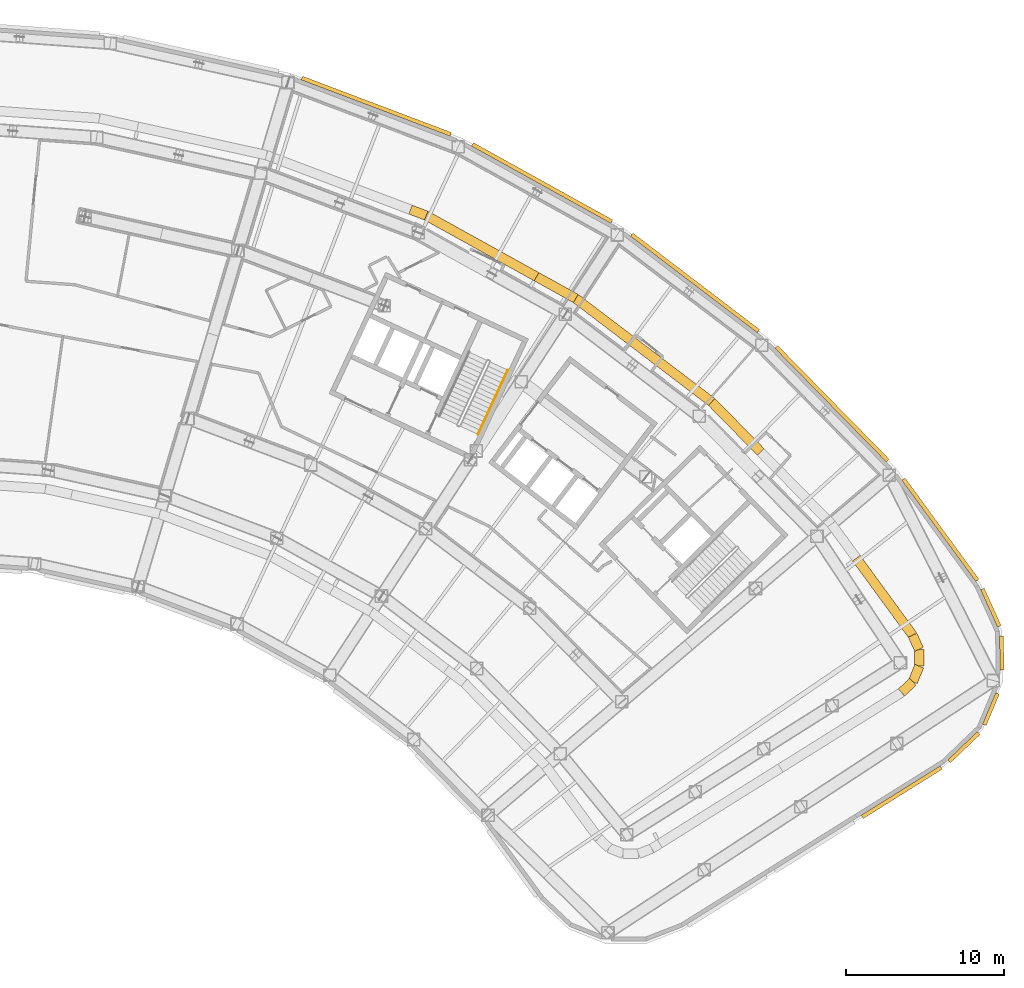
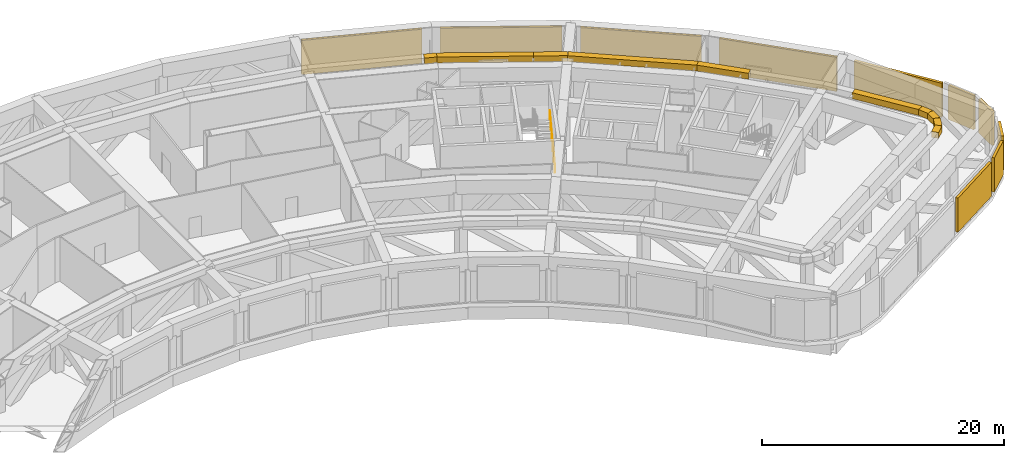
# One storey, part 29 of 30: 10 coverings, 10 shading devices, 1 railing.
"""IFC4 building model written with IfcOpenShell, lengths in metres."""

from ifc_helpers import new_model, si_unit, direction, frame, origin, origin_2d, place, context, subcontext, project, spatial, rectangle, circle, extrude, material, material_profile, profile_set, type_object, element, save


model = new_model("IFC4")

# Units and contexts
model_context = context("Model", 3, precision=1e-05, world=origin(), true_north=direction((0.0, 1.0)))
body_context = subcontext(model_context, "Body", "Model", "MODEL_VIEW")
ifc_project = project(units=[si_unit("LENGTHUNIT", "METRE"), si_unit("AREAUNIT", "SQUARE_METRE"), si_unit("VOLUMEUNIT", "CUBIC_METRE"), si_unit("PLANEANGLEUNIT", "RADIAN"), si_unit("MASSUNIT", "GRAM", prefix="KILO")], contexts=[model_context])

# Site, building, storey
site_placement = place(None, origin())
site = spatial("IfcSite", under=ifc_project, at=site_placement, CompositionType="ELEMENT")
building_placement = place(site_placement, origin())
building = spatial("IfcBuilding", under=site, at=building_placement, Name="Tuul Gate Civic Tower", CompositionType="ELEMENT")
storey_placement = place(building_placement, frame((0.0, 0.0, 26.699951171875)))
storey = spatial("IfcBuildingStorey", under=building, at=storey_placement, Name="Plant and refuge floor 1", CompositionType="ELEMENT", Elevation=26.699951171875)

# Shading devices
ifc_material_1 = material(Name="Aluminium louvre", Category="aluminium")
shading_device_type = type_object("IfcShadingDeviceType", Name="Louvre panel", PredefinedType="USERDEFINED", material=ifc_material_1)
shading_device_1_placement = place(storey_placement, frame((65.698974609375, -25.604248046875, 0.30029296875), z_axis=(0.0, 0.0, 1.0), x_axis=(0.69147788564, -0.722397628506, 0.0)))
element("IfcShadingDevice", 1, at=shading_device_1_placement, inside=storey, type_object=shading_device_type, Name="Louvre panel", ObjectType="LOUVRE", PredefinedType="USERDEFINED", context=body_context, shape_type="SweptSolid", body=[
    extrude(rectangle(XDim=0.25, YDim=2.60009765625, at=origin_2d()), origin(), (0.0, 0.0, 1.0), 3.449951171875),
])
for number, where, z_axis, x_axis, name in (
    (2, (67.4150390625, -23.185791015625, 0.30029296875), (0.0, 0.0, 1.0), (0.92261423474, -0.385723960696, 0.0), "Louvre panel"),
    (3, (68.102294921875, -19.625244140625, 0.30029296875), (0.0, 0.0, 1.0), (0.999892290777, 0.014676745048, 0.0), "Louvre panel"),
):
    element("IfcShadingDevice", number, at=place(storey_placement, frame(where, z_axis=z_axis, x_axis=x_axis)), inside=storey, type_object=shading_device_type, Name=name, ObjectType="LOUVRE", PredefinedType="USERDEFINED", context=body_context, shape_type="SweptSolid", body=[
        extrude(rectangle(XDim=0.25, YDim=2.14990234375, at=origin_2d()), origin(), (0.0, 0.0, 1.0), 3.449951171875),
    ])
shading_device_2_placement = place(storey_placement, frame((67.410400390625, -16.740966796875, 0.30029296875), z_axis=(0.0, 0.0, 1.0), x_axis=(0.910943109135, 0.412532001086, 0.0)))
element("IfcShadingDevice", 4, at=shading_device_2_placement, inside=storey, type_object=shading_device_type, Name="Louvre panel", ObjectType="LOUVRE", PredefinedType="USERDEFINED", context=body_context, shape_type="SweptSolid", body=[
    extrude(rectangle(XDim=0.25, YDim=2.60009765625, at=origin_2d()), origin(), (0.0, 0.0, 1.0), 3.449951171875),
])
shading_device_3_placement = place(storey_placement, frame((64.2041015625, -11.79296875, 0.30029296875), z_axis=(0.0, 0.0, 1.0), x_axis=(0.807504635584, 0.589861223943, 0.0)))
element("IfcShadingDevice", 5, at=shading_device_3_placement, inside=storey, type_object=shading_device_type, Name="Louvre panel", ObjectType="LOUVRE", PredefinedType="USERDEFINED", context=body_context, shape_type="SweptSolid", body=[
    extrude(rectangle(XDim=0.25, YDim=7.949951171875, at=origin_2d()), origin(), (0.0, 0.0, 1.0), 3.449951171875),
])
for number, where, z_axis, x_axis, name in (
    (6, (57.330322265625, -3.802490234375, 0.30029296875), (0.0, 0.0, 1.0), (0.714133617381, 0.700009411741, 0.0), "Louvre panel"),
    (7, (48.63330078125, 3.873046875, 0.30029296875), (0.0, 0.0, 1.0), (0.605812275607, 0.795607621082, 0.0), "Louvre panel"),
    (8, (38.920654296875, 10.21484375, 0.30029296875), (0.0, 0.0, 1.0), (0.484772548087, 0.874640255546, 0.0), "Louvre panel"),
    (9, (28.395751953125, 15.09033203125, 0.30029296875), (0.0, 0.0, 1.0), (0.353698661692, 0.935359426487, 0.0), "Louvre panel"),
):
    element("IfcShadingDevice", number, at=place(storey_placement, frame(where, z_axis=z_axis, x_axis=x_axis)), inside=storey, type_object=shading_device_type, Name=name, ObjectType="LOUVRE", PredefinedType="USERDEFINED", context=body_context, shape_type="SweptSolid", body=[
        extrude(rectangle(XDim=0.25, YDim=10.10009765625, at=origin_2d()), origin(), (0.0, 0.0, 1.0), 3.449951171875),
    ])
shading_device_4_placement = place(storey_placement, frame((61.753662109375, -28.457275390625, 0.30029296875), z_axis=(0.0, 0.0, 1.0), x_axis=(0.529943874358, -0.848032717547, 0.0)))
element("IfcShadingDevice", 10, at=shading_device_4_placement, inside=storey, type_object=shading_device_type, Name="Louvre panel", ObjectType="LOUVRE", PredefinedType="USERDEFINED", context=body_context, shape_type="SweptSolid", body=[
    extrude(rectangle(XDim=0.25, YDim=5.89990234375, at=origin_2d()), origin(), (0.0, 0.0, 1.0), 3.449951171875),
])

# Railing
ifc_material_2 = material(Name="Painted steel", Category="steel")
railing_type = type_object("IfcRailingType", Name="Stair handrail", PredefinedType="HANDRAIL", material=ifc_material_2)
railing_placement = place(storey_placement, frame((34.844970703125, -5.74267578125, 0.150146484375)))
element("IfcRailing", 11, at=railing_placement, inside=storey, type_object=railing_type, Name="Plant and refuge floor 1 ST-4 stair handrail 1", PredefinedType="HANDRAIL", context=body_context, shape_type="SweptSolid", body=[
    extrude(circle(Radius=0.02392578125, at=origin_2d()), frame((0.0, 0.0, 0.8759765625), z_axis=(0.377958258299, 0.810652286962, 0.447202889779), x_axis=(-0.906331385859, 0.422567650213, 0.0)), (0.0, 0.0, 1.0), 5.03125),
    extrude(circle(Radius=0.02099609375, at=origin_2d()), origin(), (0.0, 0.0, 1.0), 0.851806640625),
    extrude(circle(Radius=0.02099609375, at=origin_2d()), frame((0.38037109375, 0.815673828125, 0.449951171875)), (0.0, 0.0, 1.0), 0.851806640625),
    extrude(circle(Radius=0.02099609375, at=origin_2d()), frame((0.7607421875, 1.63134765625, 0.89990234375)), (0.0, 0.0, 1.0), 0.851806640625),
    extrude(circle(Radius=0.02099609375, at=origin_2d()), frame((1.140869140625, 2.447265625, 1.35009765625)), (0.0, 0.0, 1.0), 0.851806640625),
    extrude(circle(Radius=0.02099609375, at=origin_2d()), frame((1.521240234375, 3.262939453125, 1.800048828125)), (0.0, 0.0, 1.0), 0.851806640625),
    extrude(circle(Radius=0.02099609375, at=origin_2d()), frame((1.901611328125, 4.07861328125, 2.25)), (0.0, 0.0, 1.0), 0.851806640625),
])

# Coverings
ifc_material_3 = material(Name="Terracotta baguette", Category="masonry")
ifc_material_profile = material_profile(ifc_material_3, rectangle(XDim=0.60009765625, YDim=0.60009765625, at=origin_2d()), Name="Terracotta baguette screen frame")
ifc_profile_set = profile_set([ifc_material_profile], Name="Terracotta baguette")
covering_type = type_object("IfcCoveringType", Name="Terracotta baguette screen frame", PredefinedType="CLADDING", material=ifc_profile_set)
covering_1_placement = place(storey_placement, frame((38.569091796875, 4.264404296875, 4.449951171875), z_axis=(-0.874634570388, 0.484782805267, 0.0), x_axis=(-0.484782805267, -0.874634570388, 0.0)))
element("IfcCovering", 12, at=covering_1_placement, inside=storey, type_object=covering_type, Name="Baguette 45", PredefinedType="CLADDING", context=body_context, shape_type="SweptSolid", body=[
    extrude(rectangle(XDim=0.60009765625, YDim=0.60009765625, at=origin_2d()), origin(), (0.0, 0.0, 1.0), 8.00341796875),
])
covering_2_placement = place(storey_placement, frame((31.569091796875, 8.144287109375, 4.449951171875), z_axis=(-0.935349569551, 0.353724727352, 0.0), x_axis=(-0.353724727352, -0.935349569551, 0.0)))
element("IfcCovering", 13, at=covering_2_placement, inside=storey, type_object=covering_type, Name="Baguette 46", PredefinedType="CLADDING", context=body_context, shape_type="SweptSolid", body=[
    extrude(rectangle(XDim=0.60009765625, YDim=0.60009765625, at=origin_2d()), origin(), (0.0, 0.0, 1.0), 1.069091796875),
])
covering_3_placement = place(storey_placement, frame((52.805419921875, -6.864990234375, 4.449951171875), z_axis=(-0.699986848634, 0.714155733534, 0.0), x_axis=(-0.714155733534, -0.699986848634, 0.0)))
element("IfcCovering", 14, at=covering_3_placement, inside=storey, type_object=covering_type, Name="Baguette 381", PredefinedType="CLADDING", context=body_context, shape_type="SweptSolid", body=[
    extrude(rectangle(XDim=0.60009765625, YDim=0.60009765625, at=origin_2d()), origin(), (0.0, 0.0, 1.0), 4.445556640625),
])
covering_4_placement = place(storey_placement, frame((49.693603515625, -3.690185546875, 4.449951171875), z_axis=(-0.795618643442, 0.605797799771, 0.0), x_axis=(-0.605797799771, -0.795618643442, 0.0)))
element("IfcCovering", 15, at=covering_4_placement, inside=storey, type_object=covering_type, Name="Baguette 382", PredefinedType="CLADDING", context=body_context, shape_type="SweptSolid", body=[
    extrude(rectangle(XDim=0.60009765625, YDim=0.60009765625, at=origin_2d()), origin(), (0.0, 0.0, 1.0), 10.851318359375),
])
covering_5_placement = place(storey_placement, frame((41.06005859375, 2.883544921875, 4.449951171875), z_axis=(-0.874605722135, 0.484834849005, 0.0), x_axis=(-0.484834849005, -0.874605722135, 0.0)))
element("IfcCovering", 16, at=covering_5_placement, inside=storey, type_object=covering_type, Name="Baguette 383", PredefinedType="CLADDING", context=body_context, shape_type="SweptSolid", body=[
    extrude(rectangle(XDim=0.60009765625, YDim=0.60009765625, at=origin_2d()), origin(), (0.0, 0.0, 1.0), 2.84814453125),
])
covering_6_placement = place(storey_placement, frame((61.739990234375, -22.128173828125, 4.449951171875), z_axis=(0.722137314744, 0.691749737011, 0.0), x_axis=(-0.691749737011, 0.722137314744, 0.0)))
element("IfcCovering", 17, at=covering_6_placement, inside=storey, type_object=covering_type, Name="Baguette 414", PredefinedType="CLADDING", context=body_context, shape_type="SweptSolid", body=[
    extrude(rectangle(XDim=0.60009765625, YDim=0.60009765625, at=origin_2d()), origin(), (0.0, 0.0, 1.0), 0.98828125),
])
covering_7_placement = place(storey_placement, frame((62.45361328125, -21.444580078125, 4.449951171875), z_axis=(0.385784883999, 0.922588761734, 0.0), x_axis=(-0.922588761734, 0.385784883999, 0.0)))
element("IfcCovering", 18, at=covering_7_placement, inside=storey, type_object=covering_type, Name="Baguette 415", PredefinedType="CLADDING", context=body_context, shape_type="SweptSolid", body=[
    extrude(rectangle(XDim=0.60009765625, YDim=0.60009765625, at=origin_2d()), origin(), (0.0, 0.0, 1.0), 1.06689453125),
])
covering_8_placement = place(storey_placement, frame((62.865234375, -20.460205078125, 4.449951171875), z_axis=(-0.014650442147, 0.999892676513, 0.0), x_axis=(-0.999892676513, -0.014650442147, 0.0)))
element("IfcCovering", 19, at=covering_8_placement, inside=storey, type_object=covering_type, Name="Baguette 416", PredefinedType="CLADDING", context=body_context, shape_type="SweptSolid", body=[
    extrude(rectangle(XDim=0.60009765625, YDim=0.60009765625, at=origin_2d()), origin(), (0.0, 0.0, 1.0), 1.06640625),
])
covering_9_placement = place(storey_placement, frame((62.849609375, -19.393798828125, 4.449951171875), z_axis=(-0.412928742672, 0.910763335601, 0.0), x_axis=(-0.910763335601, -0.412928742672, 0.0)))
element("IfcCovering", 20, at=covering_9_placement, inside=storey, type_object=covering_type, Name="Baguette 417", PredefinedType="CLADDING", context=body_context, shape_type="SweptSolid", body=[
    extrude(rectangle(XDim=0.60009765625, YDim=0.60009765625, at=origin_2d()), origin(), (0.0, 0.0, 1.0), 0.9892578125),
])
covering_10_placement = place(storey_placement, frame((62.441162109375, -18.492919921875, 4.449951171875), z_axis=(-0.589815366294, 0.807538131412, 0.0), x_axis=(-0.807538131412, -0.589815366294, 0.0)))
element("IfcCovering", 21, at=covering_10_placement, inside=storey, type_object=covering_type, Name="Baguette 418", PredefinedType="CLADDING", context=body_context, shape_type="SweptSolid", body=[
    extrude(rectangle(XDim=0.60009765625, YDim=0.60009765625, at=origin_2d()), origin(), (0.0, 0.0, 1.0), 6.05419921875),
])

save(model, "model.ifc")
